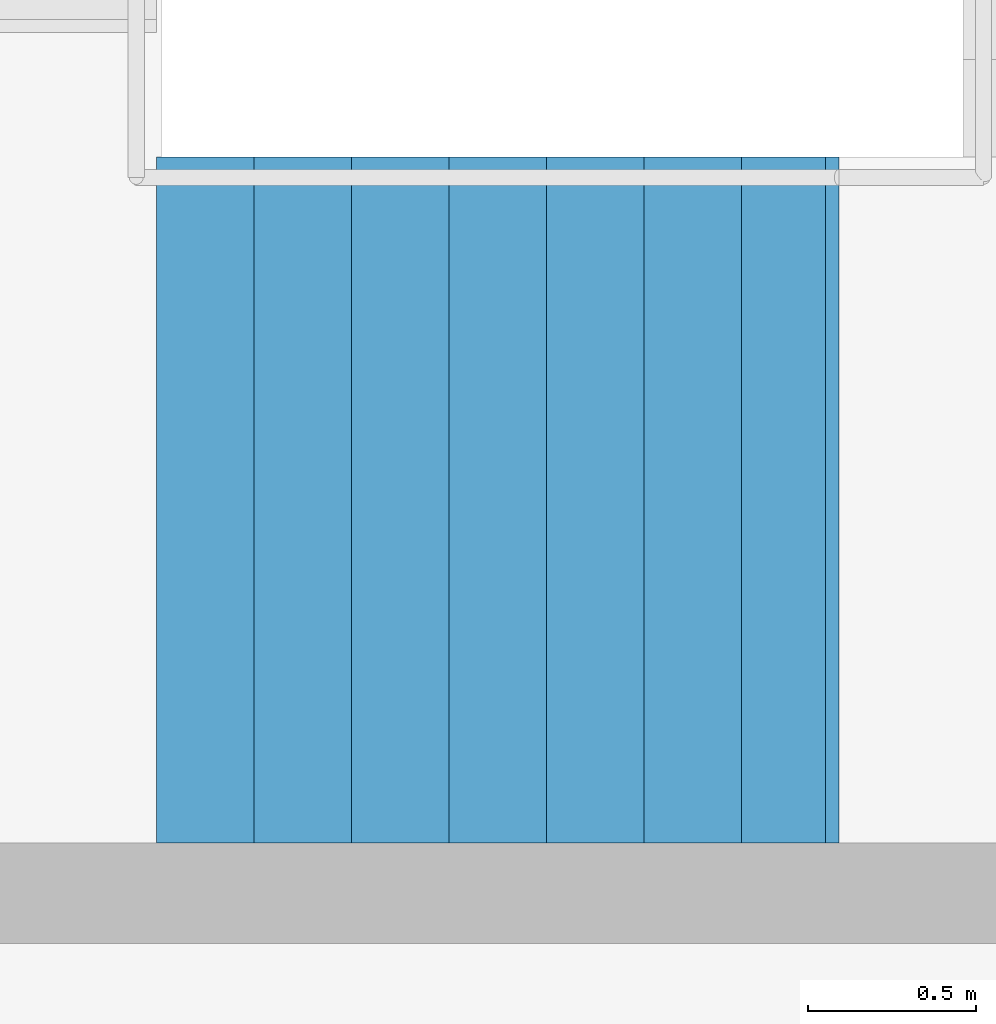
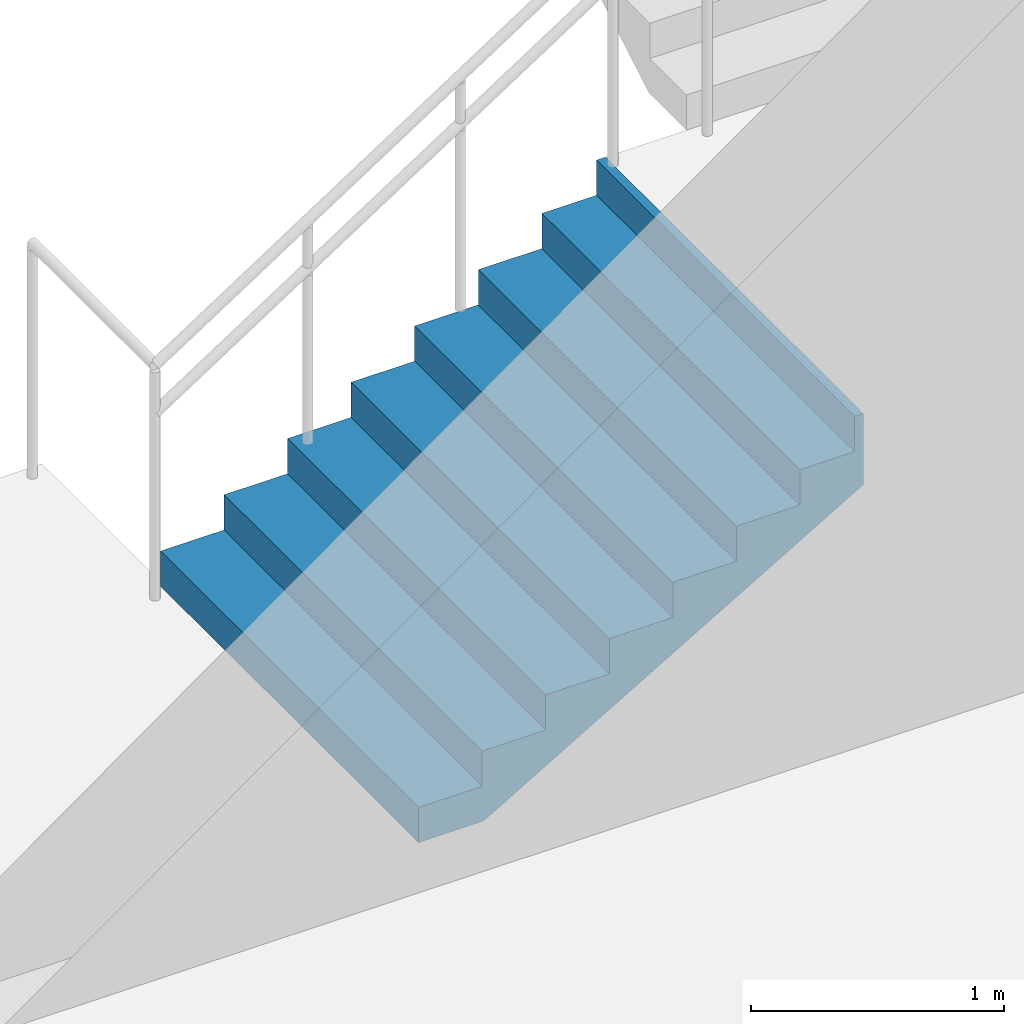
# One storey, part 43 of 50: 1 stair flight, 1 element without a shape of its own.
"""IFC4 building model written with IfcOpenShell, lengths in metres."""

import ifcopenshell
import ifcopenshell.guid

model = None  # the IFC model being written
_history = None  # IfcOwnerHistory: only IFC2X3 demands one
_inside = {}  # id of a spatial element -> (the spatial element, [elements in it])
_under = {}  # id of a project, library or spatial element -> (it, [spatial elements below it])
_declared = {}  # id of a project -> (the project, [libraries it declares])
_typed = {}  # id of a type object -> (the type object, [elements of that type])
_made_of = {}  # id of a material, layer set ... -> (it, [elements and type objects made of it])


def new_model(schema):
    """Start an empty IFC model of exactly this schema.

    Asked for "IFC4X3", IfcOpenShell would pick the latest addendum, in which some entities
    have other attributes; the version numbers below select the first issue.
    IFC2X3 requires an IfcOwnerHistory on every rooted entity: one is made here for all.
    """
    global model, _history
    if schema == "IFC4X3":
        model = ifcopenshell.file(schema_version=(4, 3, 0, 0))
    else:
        model = ifcopenshell.file(schema=schema)
    _inside.clear()
    _under.clear()
    _declared.clear()
    _typed.clear()
    _made_of.clear()
    _history = None
    if model.schema == "IFC2X3":
        org = make("IfcOrganization", Name="unknown")
        user = make(
            "IfcPersonAndOrganization",
            ThePerson=make("IfcPerson", FamilyName="unknown"),
            TheOrganization=org,
        )
        app = make(
            "IfcApplication",
            ApplicationDeveloper=org,
            Version="unknown",
            ApplicationFullName="unknown",
            ApplicationIdentifier="unknown",
        )
        _history = make(
            "IfcOwnerHistory",
            OwningUser=user,
            OwningApplication=app,
            ChangeAction="ADDED",
            CreationDate=0,
        )
    return model


def make(cls, **values):
    """One entity of the class cls with the attributes given. An attribute that is None is left unset."""
    return model.create_entity(
        cls, **{name: value for name, value in values.items() if value is not None}
    )


def rooted(cls, **values):
    """An entity with a GlobalId (a new one), such as an element, a storey or a relation."""
    return make(cls, GlobalId=ifcopenshell.guid.new(), OwnerHistory=_history, **values)


def si_unit(unit_type, name, prefix=None):
    """IfcSIUnit, for example si_unit("LENGTHUNIT", "METRE", prefix="MILLI")."""
    return make("IfcSIUnit", UnitType=unit_type, Prefix=prefix, Name=name)


def assignment(units):
    """IfcUnitAssignment: the units of a project."""
    return None if units is None else make("IfcUnitAssignment", Units=units)


def point(xyz):
    """IfcCartesianPoint."""
    return None if xyz is None else make("IfcCartesianPoint", Coordinates=xyz)


def direction(xyz):
    """IfcDirection."""
    return None if xyz is None else make("IfcDirection", DirectionRatios=xyz)


def frame(location, z_axis=None, x_axis=None):
    """IfcAxis2Placement3D, a coordinate frame: its origin and axes. An axis left out is left unset."""
    return make(
        "IfcAxis2Placement3D",
        Location=point(location),
        Axis=direction(z_axis),
        RefDirection=direction(x_axis),
    )


def origin():
    """The frame at (0, 0, 0) with its axes left unset."""
    return frame((0.0, 0.0, 0.0))


def place(relative_to, where):
    """IfcLocalPlacement: puts the frame where relative to a parent placement (None: the world)."""
    return make(
        "IfcLocalPlacement", PlacementRelTo=relative_to, RelativePlacement=where
    )


def context(
    kind, dimensions, precision=None, world=None, true_north=None, identifier=None
):
    """IfcGeometricRepresentationContext, for example the 3D "Model" context."""
    return make(
        "IfcGeometricRepresentationContext",
        ContextIdentifier=identifier,
        ContextType=kind,
        CoordinateSpaceDimension=dimensions,
        Precision=precision,
        WorldCoordinateSystem=world,
        TrueNorth=true_north,
    )


def subcontext(parent, identifier, kind, view, scale=None):
    """IfcGeometricRepresentationSubContext, for example "Body" below "Model"."""
    return make(
        "IfcGeometricRepresentationSubContext",
        ContextIdentifier=identifier,
        ContextType=kind,
        ParentContext=parent,
        TargetScale=scale,
        TargetView=view,
    )


def project(units=None, contexts=None):
    """IfcProject with its units and contexts."""
    return rooted(
        "IfcProject",
        Name="project",
        RepresentationContexts=contexts,
        UnitsInContext=assignment(units),
    )


def spatial(cls, under=None, at=None, **own):
    """A site, building, storey or space (cls), placed at a placement, below another one or the project."""
    s = rooted(cls, ObjectPlacement=at, **own)
    if under is not None:
        _under.setdefault(under.id(), (under, []))[1].append(s)
    return s


def point_list(points):
    """IfcCartesianPointList2D or 3D."""
    cls = (
        "IfcCartesianPointList2D" if len(points[0]) == 2 else "IfcCartesianPointList3D"
    )
    return make(cls, CoordList=points)


def triangles(points, corners, closed=None, point_numbers=None):
    """IfcTriangulatedFaceSet: each triangle names its three corners, points numbered from 1."""
    return make(
        "IfcTriangulatedFaceSet",
        Coordinates=point_list(points),
        Closed=closed,
        CoordIndex=corners,
        PnIndex=point_numbers,
    )


def shape(context_of_items, identifier, shape_type, items):
    """IfcShapeRepresentation: the items that make up one representation, for example the "Body"."""
    return make(
        "IfcShapeRepresentation",
        ContextOfItems=context_of_items,
        RepresentationIdentifier=identifier,
        RepresentationType=shape_type,
        Items=items,
    )


def material(Name=None, Category=None):
    """IfcMaterial."""
    return make("IfcMaterial", Name=Name, Category=Category)


def made_of(thing, what):
    """Note that an element or type object is made of a material, layer set ...; save() writes the relation."""
    if what is not None:
        _made_of.setdefault(what.id(), (what, []))[1].append(thing)
    return thing


def type_object(cls, material=None, **own):
    """A type object (cls), such as IfcWallType, which elements share."""
    return made_of(rooted(cls, **own), material)


def element(
    cls,
    number,
    at=None,
    inside=None,
    cuts=None,
    type_object=None,
    material=None,
    context=None,
    identifier="Body",
    shape_type=None,
    held_by="IfcProductDefinitionShape",
    body=None,
    shapes=None,
    **own,
):
    """One element of the class cls, such as IfcWall. Its Tag is "e" and its number.

    at: its placement. inside: the storey or other place that contains it. cuts: it is an
    opening in that element (IfcRelVoidsElement). A single representation is given by context,
    identifier, shape_type and body (its items); several are given by shapes. held_by: the class
    of the entity that holds the representations. save() writes the other relations.
    """
    e = rooted(cls, Tag="e%d" % number, ObjectPlacement=at, **own)
    if body is not None:
        shapes = [shape(context, identifier, shape_type, body)]
    if shapes is not None:
        e.Representation = make(held_by, Representations=shapes)
    if inside is not None:
        _inside.setdefault(inside.id(), (inside, []))[1].append(e)
    if cuts is not None:
        rooted(
            "IfcRelVoidsElement", RelatingBuildingElement=cuts, RelatedOpeningElement=e
        )
    if type_object is not None:
        _typed.setdefault(type_object.id(), (type_object, []))[1].append(e)
    return made_of(e, material)


def aggregate(whole, parts):
    """IfcRelAggregates: a whole, such as a stair, and the parts it consists of."""
    return rooted("IfcRelAggregates", RelatingObject=whole, RelatedObjects=parts)


def save(model, path):
    """Write the relations noted so far, then the file.

    IfcRelAggregates (storeys below a building ...), IfcRelContainedInSpatialStructure (elements
    in a storey), IfcRelDefinesByType, IfcRelAssociatesMaterial and IfcRelDeclares: one each for
    every whole, place, type object, material and project.
    """
    for whole, parts in _under.values():
        aggregate(whole, parts)
    for where, things in _inside.values():
        rooted(
            "IfcRelContainedInSpatialStructure",
            RelatedElements=things,
            RelatingStructure=where,
        )
    for kind, things in _typed.values():
        rooted("IfcRelDefinesByType", RelatedObjects=things, RelatingType=kind)
    for what, things in _made_of.values():
        rooted("IfcRelAssociatesMaterial", RelatedObjects=things, RelatingMaterial=what)
    for by, libraries in _declared.values():
        rooted("IfcRelDeclares", RelatingContext=by, RelatedDefinitions=libraries)
    model.write(path)


model = new_model("IFC4")

# Units and contexts
model_context = context("Model", 3, precision=1e-05, world=origin(), true_north=direction((0.0, 1.0)))
body_context = subcontext(model_context, "Body", "Model", "MODEL_VIEW")
ifc_project = project(units=[si_unit("LENGTHUNIT", "METRE"), si_unit("AREAUNIT", "SQUARE_METRE"), si_unit("VOLUMEUNIT", "CUBIC_METRE"), si_unit("PLANEANGLEUNIT", "RADIAN"), si_unit("MASSUNIT", "GRAM", prefix="KILO")], contexts=[model_context])

# Site, building, storey
site_placement = place(None, origin())
site = spatial("IfcSite", under=ifc_project, at=site_placement, CompositionType="ELEMENT")
building_placement = place(site_placement, origin())
building = spatial("IfcBuilding", under=site, at=building_placement, Name="Sillaruma Civic Art Gallery", CompositionType="ELEMENT")
storey_placement = place(building_placement, origin())
storey = spatial("IfcBuildingStorey", under=building, at=storey_placement, Name="L00", CompositionType="ELEMENT", Elevation=0.0)

# Stair, stair flight
ifc_material = material(Name="Concrete H35 (35 MPa)", Category="concrete")
stair_type = type_object("IfcStairType", Name="STR-4F-32", PredefinedType="USERDEFINED", material=ifc_material)
stair_placement = place(storey_placement, origin())
stair = element("IfcStair", 1, at=stair_placement, inside=storey, type_object=stair_type, Name="Protected Exit Stair ST-05 (East Wing) (L00)", ObjectType="THREE_RETURN_STAIR", PredefinedType="USERDEFINED")
stair_flight_type = type_object("IfcStairFlightType", Name="SFL-STR-8", PredefinedType="STRAIGHT", material=ifc_material)
stair_flight_placement = place(storey_placement, frame((144.199951171875, 12.419921875, 0.0), z_axis=(0.0, 0.0, 1.0), x_axis=(1.0, 0.0, 0.0)))
stair_flight = element("IfcStairFlight", 2, at=stair_flight_placement, type_object=stair_flight_type, Name="ST-05 flight 1", NumberOfRisers=8, NumberOfTreads=7, PredefinedType="STRAIGHT", RiserHeight=0.17, TreadLength=0.29, context=body_context, shape_type="Tessellation", body=[
    triangles([(0.0, -1.02001953125, 0.0), (0.29, -1.02001953125, 0.0), (0.296443, -1.02001953125, 0.0), (0.58, -1.02001953125, 0.166223), (0.87, -1.02001953125, 0.336223), (1.16, -1.02001953125, 0.506223), (1.45, -1.02001953125, 0.676223), (1.74, -1.02001953125, 0.846223), (1.990029, -1.02001953125, 0.992792), (2.030029, -1.02001953125, 1.01624), (2.030029, -1.02001953125, 1.36), (1.990029, -1.02001953125, 1.36), (1.990029, -1.02001953125, 1.19), (1.74, -1.02001953125, 1.19), (1.74, -1.02001953125, 1.02), (1.45, -1.02001953125, 1.02), (1.45, -1.02001953125, 0.85), (1.16, -1.02001953125, 0.85), (1.16, -1.02001953125, 0.68), (0.87, -1.02001953125, 0.68), (0.87, -1.02001953125, 0.51), (0.58, -1.02001953125, 0.51), (0.58, -1.02001953125, 0.34), (0.296443, -1.02001953125, 0.34), (0.29, -1.02001953125, 0.34), (0.29, -1.02001953125, 0.17), (0.0, -1.02001953125, 0.17), (0.0, -0.05, 0.0), (0.29, -0.05, 0.0), (0.296443, -0.05, 0.0), (0.58, -0.05, 0.166223), (0.87, -0.05, 0.336223), (1.16, -0.05, 0.506223), (1.45, -0.05, 0.676223), (1.74, -0.05, 0.846223), (1.990029, -0.05, 0.992792), (2.030029, -0.05, 1.01624), (2.030029, -0.05, 1.36), (1.990029, -0.05, 1.36), (1.990029, -0.05, 1.19), (1.74, -0.05, 1.19), (1.74, -0.05, 1.02), (1.45, -0.05, 1.02), (1.45, -0.05, 0.85), (1.16, -0.05, 0.85), (1.16, -0.05, 0.68), (0.87, -0.05, 0.68), (0.87, -0.05, 0.51), (0.58, -0.05, 0.51), (0.58, -0.05, 0.34), (0.296443, -0.05, 0.34), (0.29, -0.05, 0.34), (0.29, -0.05, 0.17), (0.0, -0.05, 0.17), (0.0, -0.0375, 0.0), (0.29, -0.0375, 0.0), (0.296443, -0.0375, 0.0), (0.58, -0.0375, 0.166223), (0.87, -0.0375, 0.336223), (1.16, -0.0375, 0.506223), (1.45, -0.0375, 0.676223), (1.74, -0.0375, 0.846223), (1.990029, -0.0375, 0.992792), (2.030029, -0.0375, 1.01624), (2.030029, -0.0375, 1.36), (1.990029, -0.0375, 1.36), (1.990029, -0.0375, 1.19), (1.74, -0.0375, 1.19), (1.74, -0.0375, 1.02), (1.45, -0.0375, 1.02), (1.45, -0.0375, 0.85), (1.16, -0.0375, 0.85), (1.16, -0.0375, 0.68), (0.87, -0.0375, 0.68), (0.87, -0.0375, 0.51), (0.58, -0.0375, 0.51), (0.58, -0.0375, 0.34), (0.296443, -0.0375, 0.34), (0.29, -0.0375, 0.34), (0.29, -0.0375, 0.17), (0.0, -0.0375, 0.17), (0.0, -0.025, 0.0), (0.29, -0.025, 0.0), (0.296443, -0.025, 0.0), (0.58, -0.025, 0.166223), (0.87, -0.025, 0.336223), (1.16, -0.025, 0.506223), (1.45, -0.025, 0.676223), (1.74, -0.025, 0.846223), (1.990029, -0.025, 0.992792), (2.030029, -0.025, 1.01624), (2.030029, -0.025, 1.36), (1.990029, -0.025, 1.36), (1.990029, -0.025, 1.19), (1.74, -0.025, 1.19), (1.74, -0.025, 1.02), (1.45, -0.025, 1.02), (1.45, -0.025, 0.85), (1.16, -0.025, 0.85), (1.16, -0.025, 0.68), (0.87, -0.025, 0.68), (0.87, -0.025, 0.51), (0.58, -0.025, 0.51), (0.58, -0.025, 0.34), (0.296443, -0.025, 0.34), (0.29, -0.025, 0.34), (0.29, -0.025, 0.17), (0.0, -0.025, 0.17), (0.0, -0.0125, 0.0), (0.29, -0.0125, 0.0), (0.296443, -0.0125, 0.0), (0.58, -0.0125, 0.166223), (0.87, -0.0125, 0.336223), (1.16, -0.0125, 0.506223), (1.45, -0.0125, 0.676223), (1.74, -0.0125, 0.846223), (1.990029, -0.0125, 0.992792), (2.030029, -0.0125, 1.01624), (2.030029, -0.0125, 1.36), (1.990029, -0.0125, 1.36), (1.990029, -0.0125, 1.19), (1.74, -0.0125, 1.19), (1.74, -0.0125, 1.02), (1.45, -0.0125, 1.02), (1.45, -0.0125, 0.85), (1.16, -0.0125, 0.85), (1.16, -0.0125, 0.68), (0.87, -0.0125, 0.68), (0.87, -0.0125, 0.51), (0.58, -0.0125, 0.51), (0.58, -0.0125, 0.34), (0.296443, -0.0125, 0.34), (0.29, -0.0125, 0.34), (0.29, -0.0125, 0.17), (0.0, -0.0125, 0.17), (0.0, 0.0, 0.0), (0.29, 0.0, 0.0), (0.296443, 0.0, 0.0), (0.58, 0.0, 0.166223), (0.87, 0.0, 0.336223), (1.16, 0.0, 0.506223), (1.45, 0.0, 0.676223), (1.74, 0.0, 0.846223), (1.990029, 0.0, 0.992792), (2.030029, 0.0, 1.01624), (2.030029, 0.0, 1.36), (1.990029, 0.0, 1.36), (1.990029, 0.0, 1.19), (1.74, 0.0, 1.19), (1.74, 0.0, 1.02), (1.45, 0.0, 1.02), (1.45, 0.0, 0.85), (1.16, 0.0, 0.85), (1.16, 0.0, 0.68), (0.87, 0.0, 0.68), (0.87, 0.0, 0.51), (0.58, 0.0, 0.51), (0.58, 0.0, 0.34), (0.296443, 0.0, 0.34), (0.29, 0.0, 0.34), (0.29, 0.0, 0.17), (0.0, 0.0, 0.17), (0.0, 0.0125, 0.0), (0.29, 0.0125, 0.0), (0.296443, 0.0125, 0.0), (0.58, 0.0125, 0.166223), (0.87, 0.0125, 0.336223), (1.16, 0.0125, 0.506223), (1.45, 0.0125, 0.676223), (1.74, 0.0125, 0.846223), (1.990029, 0.0125, 0.992792), (2.030029, 0.0125, 1.01624), (2.030029, 0.0125, 1.36), (1.990029, 0.0125, 1.36), (1.990029, 0.0125, 1.19), (1.74, 0.0125, 1.19), (1.74, 0.0125, 1.02), (1.45, 0.0125, 1.02), (1.45, 0.0125, 0.85), (1.16, 0.0125, 0.85), (1.16, 0.0125, 0.68), (0.87, 0.0125, 0.68), (0.87, 0.0125, 0.51), (0.58, 0.0125, 0.51), (0.58, 0.0125, 0.34), (0.296443, 0.0125, 0.34), (0.29, 0.0125, 0.34), (0.29, 0.0125, 0.17), (0.0, 0.0125, 0.17), (0.0, 0.025, 0.0), (0.29, 0.025, 0.0), (0.296443, 0.025, 0.0), (0.58, 0.025, 0.166223), (0.87, 0.025, 0.336223), (1.16, 0.025, 0.506223), (1.45, 0.025, 0.676223), (1.74, 0.025, 0.846223), (1.990029, 0.025, 0.992792), (2.030029, 0.025, 1.01624), (2.030029, 0.025, 1.36), (1.990029, 0.025, 1.36), (1.990029, 0.025, 1.19), (1.74, 0.025, 1.19), (1.74, 0.025, 1.02), (1.45, 0.025, 1.02), (1.45, 0.025, 0.85), (1.16, 0.025, 0.85), (1.16, 0.025, 0.68), (0.87, 0.025, 0.68), (0.87, 0.025, 0.51), (0.58, 0.025, 0.51), (0.58, 0.025, 0.34), (0.296443, 0.025, 0.34), (0.29, 0.025, 0.34), (0.29, 0.025, 0.17), (0.0, 0.025, 0.17), (0.0, 0.0375, 0.0), (0.29, 0.0375, 0.0), (0.296443, 0.0375, 0.0), (0.58, 0.0375, 0.166223), (0.87, 0.0375, 0.336223), (1.16, 0.0375, 0.506223), (1.45, 0.0375, 0.676223), (1.74, 0.0375, 0.846223), (1.990029, 0.0375, 0.992792), (2.030029, 0.0375, 1.01624), (2.030029, 0.0375, 1.36), (1.990029, 0.0375, 1.36), (1.990029, 0.0375, 1.19), (1.74, 0.0375, 1.19), (1.74, 0.0375, 1.02), (1.45, 0.0375, 1.02), (1.45, 0.0375, 0.85), (1.16, 0.0375, 0.85), (1.16, 0.0375, 0.68), (0.87, 0.0375, 0.68), (0.87, 0.0375, 0.51), (0.58, 0.0375, 0.51), (0.58, 0.0375, 0.34), (0.296443, 0.0375, 0.34), (0.29, 0.0375, 0.34), (0.29, 0.0375, 0.17), (0.0, 0.0375, 0.17), (0.0, 0.05, 0.0), (0.29, 0.05, 0.0), (0.296443, 0.05, 0.0), (0.58, 0.05, 0.166223), (0.87, 0.05, 0.336223), (1.16, 0.05, 0.506223), (1.45, 0.05, 0.676223), (1.74, 0.05, 0.846223), (1.990029, 0.05, 0.992792), (2.030029, 0.05, 1.01624), (2.030029, 0.05, 1.36), (1.990029, 0.05, 1.36), (1.990029, 0.05, 1.19), (1.74, 0.05, 1.19), (1.74, 0.05, 1.02), (1.45, 0.05, 1.02), (1.45, 0.05, 0.85), (1.16, 0.05, 0.85), (1.16, 0.05, 0.68), (0.87, 0.05, 0.68), (0.87, 0.05, 0.51), (0.58, 0.05, 0.51), (0.58, 0.05, 0.34), (0.296443, 0.05, 0.34), (0.29, 0.05, 0.34), (0.29, 0.05, 0.17), (0.0, 0.05, 0.17), (0.0, 1.02001953125, 0.0), (0.29, 1.02001953125, 0.0), (0.296443, 1.02001953125, 0.0), (0.58, 1.02001953125, 0.166223), (0.87, 1.02001953125, 0.336223), (1.16, 1.02001953125, 0.506223), (1.45, 1.02001953125, 0.676223), (1.74, 1.02001953125, 0.846223), (1.990029, 1.02001953125, 0.992792), (2.030029, 1.02001953125, 1.01624), (2.030029, 1.02001953125, 1.36), (1.990029, 1.02001953125, 1.36), (1.990029, 1.02001953125, 1.19), (1.74, 1.02001953125, 1.19), (1.74, 1.02001953125, 1.02), (1.45, 1.02001953125, 1.02), (1.45, 1.02001953125, 0.85), (1.16, 1.02001953125, 0.85), (1.16, 1.02001953125, 0.68), (0.87, 1.02001953125, 0.68), (0.87, 1.02001953125, 0.51), (0.58, 1.02001953125, 0.51), (0.58, 1.02001953125, 0.34), (0.296443, 1.02001953125, 0.34), (0.29, 1.02001953125, 0.34), (0.29, 1.02001953125, 0.17), (0.0, 1.02001953125, 0.17)], [[1, 2, 26], [1, 26, 27], [2, 3, 24], [2, 24, 26], [26, 24, 25], [3, 4, 23], [3, 23, 24], [4, 5, 21], [4, 21, 23], [23, 21, 22], [5, 6, 19], [5, 19, 21], [21, 19, 20], [6, 7, 17], [6, 17, 19], [19, 17, 18], [7, 8, 15], [7, 15, 17], [17, 15, 16], [8, 9, 13], [8, 13, 15], [15, 13, 14], [9, 10, 11], [9, 11, 13], [13, 11, 12], [296, 272, 271], [297, 296, 271], [294, 273, 272], [296, 294, 272], [295, 294, 296], [293, 274, 273], [294, 293, 273], [291, 275, 274], [293, 291, 274], [292, 291, 293], [289, 276, 275], [291, 289, 275], [290, 289, 291], [287, 277, 276], [289, 287, 276], [288, 287, 289], [285, 278, 277], [287, 285, 277], [286, 285, 287], [283, 279, 278], [285, 283, 278], [284, 283, 285], [281, 280, 279], [283, 281, 279], [282, 281, 283], [2, 1, 28], [2, 28, 29], [3, 2, 29], [3, 29, 30], [4, 3, 30], [4, 30, 31], [5, 4, 31], [5, 31, 32], [6, 5, 32], [6, 32, 33], [7, 6, 33], [7, 33, 34], [8, 7, 34], [8, 34, 35], [9, 8, 35], [9, 35, 36], [10, 9, 36], [10, 36, 37], [11, 10, 37], [11, 37, 38], [12, 11, 38], [12, 38, 39], [13, 12, 39], [13, 39, 40], [14, 13, 40], [14, 40, 41], [15, 14, 41], [15, 41, 42], [16, 15, 42], [16, 42, 43], [17, 16, 43], [17, 43, 44], [18, 17, 44], [18, 44, 45], [19, 18, 45], [19, 45, 46], [20, 19, 46], [20, 46, 47], [21, 20, 47], [21, 47, 48], [22, 21, 48], [22, 48, 49], [23, 22, 49], [23, 49, 50], [24, 23, 50], [24, 50, 51], [25, 24, 51], [25, 51, 52], [26, 25, 52], [26, 52, 53], [27, 26, 53], [27, 53, 54], [1, 27, 54], [1, 54, 28], [29, 28, 55], [29, 55, 56], [30, 29, 56], [30, 56, 57], [31, 30, 57], [31, 57, 58], [32, 31, 58], [32, 58, 59], [33, 32, 59], [33, 59, 60], [34, 33, 60], [34, 60, 61], [35, 34, 61], [35, 61, 62], [36, 35, 62], [36, 62, 63], [37, 36, 63], [37, 63, 64], [38, 37, 64], [38, 64, 65], [39, 38, 65], [39, 65, 66], [40, 39, 66], [40, 66, 67], [41, 40, 67], [41, 67, 68], [42, 41, 68], [42, 68, 69], [43, 42, 69], [43, 69, 70], [44, 43, 70], [44, 70, 71], [45, 44, 71], [45, 71, 72], [46, 45, 72], [46, 72, 73], [47, 46, 73], [47, 73, 74], [48, 47, 74], [48, 74, 75], [49, 48, 75], [49, 75, 76], [50, 49, 76], [50, 76, 77], [51, 50, 77], [51, 77, 78], [52, 51, 78], [52, 78, 79], [53, 52, 79], [53, 79, 80], [54, 53, 80], [54, 80, 81], [28, 54, 81], [28, 81, 55], [56, 55, 82], [56, 82, 83], [57, 56, 83], [57, 83, 84], [58, 57, 84], [58, 84, 85], [59, 58, 85], [59, 85, 86], [60, 59, 86], [60, 86, 87], [61, 60, 87], [61, 87, 88], [62, 61, 88], [62, 88, 89], [63, 62, 89], [63, 89, 90], [64, 63, 90], [64, 90, 91], [65, 64, 91], [65, 91, 92], [66, 65, 92], [66, 92, 93], [67, 66, 93], [67, 93, 94], [68, 67, 94], [68, 94, 95], [69, 68, 95], [69, 95, 96], [70, 69, 96], [70, 96, 97], [71, 70, 97], [71, 97, 98], [72, 71, 98], [72, 98, 99], [73, 72, 99], [73, 99, 100], [74, 73, 100], [74, 100, 101], [75, 74, 101], [75, 101, 102], [76, 75, 102], [76, 102, 103], [77, 76, 103], [77, 103, 104], [78, 77, 104], [78, 104, 105], [79, 78, 105], [79, 105, 106], [80, 79, 106], [80, 106, 107], [81, 80, 107], [81, 107, 108], [55, 81, 108], [55, 108, 82], [83, 82, 109], [83, 109, 110], [84, 83, 110], [84, 110, 111], [85, 84, 111], [85, 111, 112], [86, 85, 112], [86, 112, 113], [87, 86, 113], [87, 113, 114], [88, 87, 114], [88, 114, 115], [89, 88, 115], [89, 115, 116], [90, 89, 116], [90, 116, 117], [91, 90, 117], [91, 117, 118], [92, 91, 118], [92, 118, 119], [93, 92, 119], [93, 119, 120], [94, 93, 120], [94, 120, 121], [95, 94, 121], [95, 121, 122], [96, 95, 122], [96, 122, 123], [97, 96, 123], [97, 123, 124], [98, 97, 124], [98, 124, 125], [99, 98, 125], [99, 125, 126], [100, 99, 126], [100, 126, 127], [101, 100, 127], [101, 127, 128], [102, 101, 128], [102, 128, 129], [103, 102, 129], [103, 129, 130], [104, 103, 130], [104, 130, 131], [105, 104, 131], [105, 131, 132], [106, 105, 132], [106, 132, 133], [107, 106, 133], [107, 133, 134], [108, 107, 134], [108, 134, 135], [82, 108, 135], [82, 135, 109], [110, 109, 136], [110, 136, 137], [111, 110, 137], [111, 137, 138], [112, 111, 138], [112, 138, 139], [113, 112, 139], [113, 139, 140], [114, 113, 140], [114, 140, 141], [115, 114, 141], [115, 141, 142], [116, 115, 142], [116, 142, 143], [117, 116, 143], [117, 143, 144], [118, 117, 144], [118, 144, 145], [119, 118, 145], [119, 145, 146], [120, 119, 146], [120, 146, 147], [121, 120, 147], [121, 147, 148], [122, 121, 148], [122, 148, 149], [123, 122, 149], [123, 149, 150], [124, 123, 150], [124, 150, 151], [125, 124, 151], [125, 151, 152], [126, 125, 152], [126, 152, 153], [127, 126, 153], [127, 153, 154], [128, 127, 154], [128, 154, 155], [129, 128, 155], [129, 155, 156], [130, 129, 156], [130, 156, 157], [131, 130, 157], [131, 157, 158], [132, 131, 158], [132, 158, 159], [133, 132, 159], [133, 159, 160], [134, 133, 160], [134, 160, 161], [135, 134, 161], [135, 161, 162], [109, 135, 162], [109, 162, 136], [137, 136, 163], [137, 163, 164], [138, 137, 164], [138, 164, 165], [139, 138, 165], [139, 165, 166], [140, 139, 166], [140, 166, 167], [141, 140, 167], [141, 167, 168], [142, 141, 168], [142, 168, 169], [143, 142, 169], [143, 169, 170], [144, 143, 170], [144, 170, 171], [145, 144, 171], [145, 171, 172], [146, 145, 172], [146, 172, 173], [147, 146, 173], [147, 173, 174], [148, 147, 174], [148, 174, 175], [149, 148, 175], [149, 175, 176], [150, 149, 176], [150, 176, 177], [151, 150, 177], [151, 177, 178], [152, 151, 178], [152, 178, 179], [153, 152, 179], [153, 179, 180], [154, 153, 180], [154, 180, 181], [155, 154, 181], [155, 181, 182], [156, 155, 182], [156, 182, 183], [157, 156, 183], [157, 183, 184], [158, 157, 184], [158, 184, 185], [159, 158, 185], [159, 185, 186], [160, 159, 186], [160, 186, 187], [161, 160, 187], [161, 187, 188], [162, 161, 188], [162, 188, 189], [136, 162, 189], [136, 189, 163], [164, 163, 190], [164, 190, 191], [165, 164, 191], [165, 191, 192], [166, 165, 192], [166, 192, 193], [167, 166, 193], [167, 193, 194], [168, 167, 194], [168, 194, 195], [169, 168, 195], [169, 195, 196], [170, 169, 196], [170, 196, 197], [171, 170, 197], [171, 197, 198], [172, 171, 198], [172, 198, 199], [173, 172, 199], [173, 199, 200], [174, 173, 200], [174, 200, 201], [175, 174, 201], [175, 201, 202], [176, 175, 202], [176, 202, 203], [177, 176, 203], [177, 203, 204], [178, 177, 204], [178, 204, 205], [179, 178, 205], [179, 205, 206], [180, 179, 206], [180, 206, 207], [181, 180, 207], [181, 207, 208], [182, 181, 208], [182, 208, 209], [183, 182, 209], [183, 209, 210], [184, 183, 210], [184, 210, 211], [185, 184, 211], [185, 211, 212], [186, 185, 212], [186, 212, 213], [187, 186, 213], [187, 213, 214], [188, 187, 214], [188, 214, 215], [189, 188, 215], [189, 215, 216], [163, 189, 216], [163, 216, 190], [191, 190, 217], [191, 217, 218], [192, 191, 218], [192, 218, 219], [193, 192, 219], [193, 219, 220], [194, 193, 220], [194, 220, 221], [195, 194, 221], [195, 221, 222], [196, 195, 222], [196, 222, 223], [197, 196, 223], [197, 223, 224], [198, 197, 224], [198, 224, 225], [199, 198, 225], [199, 225, 226], [200, 199, 226], [200, 226, 227], [201, 200, 227], [201, 227, 228], [202, 201, 228], [202, 228, 229], [203, 202, 229], [203, 229, 230], [204, 203, 230], [204, 230, 231], [205, 204, 231], [205, 231, 232], [206, 205, 232], [206, 232, 233], [207, 206, 233], [207, 233, 234], [208, 207, 234], [208, 234, 235], [209, 208, 235], [209, 235, 236], [210, 209, 236], [210, 236, 237], [211, 210, 237], [211, 237, 238], [212, 211, 238], [212, 238, 239], [213, 212, 239], [213, 239, 240], [214, 213, 240], [214, 240, 241], [215, 214, 241], [215, 241, 242], [216, 215, 242], [216, 242, 243], [190, 216, 243], [190, 243, 217], [218, 217, 244], [218, 244, 245], [219, 218, 245], [219, 245, 246], [220, 219, 246], [220, 246, 247], [221, 220, 247], [221, 247, 248], [222, 221, 248], [222, 248, 249], [223, 222, 249], [223, 249, 250], [224, 223, 250], [224, 250, 251], [225, 224, 251], [225, 251, 252], [226, 225, 252], [226, 252, 253], [227, 226, 253], [227, 253, 254], [228, 227, 254], [228, 254, 255], [229, 228, 255], [229, 255, 256], [230, 229, 256], [230, 256, 257], [231, 230, 257], [231, 257, 258], [232, 231, 258], [232, 258, 259], [233, 232, 259], [233, 259, 260], [234, 233, 260], [234, 260, 261], [235, 234, 261], [235, 261, 262], [236, 235, 262], [236, 262, 263], [237, 236, 263], [237, 263, 264], [238, 237, 264], [238, 264, 265], [239, 238, 265], [239, 265, 266], [240, 239, 266], [240, 266, 267], [241, 240, 267], [241, 267, 268], [242, 241, 268], [242, 268, 269], [243, 242, 269], [243, 269, 270], [217, 243, 270], [217, 270, 244], [245, 244, 271], [245, 271, 272], [246, 245, 272], [246, 272, 273], [247, 246, 273], [247, 273, 274], [248, 247, 274], [248, 274, 275], [249, 248, 275], [249, 275, 276], [250, 249, 276], [250, 276, 277], [251, 250, 277], [251, 277, 278], [252, 251, 278], [252, 278, 279], [253, 252, 279], [253, 279, 280], [254, 253, 280], [254, 280, 281], [255, 254, 281], [255, 281, 282], [256, 255, 282], [256, 282, 283], [257, 256, 283], [257, 283, 284], [258, 257, 284], [258, 284, 285], [259, 258, 285], [259, 285, 286], [260, 259, 286], [260, 286, 287], [261, 260, 287], [261, 287, 288], [262, 261, 288], [262, 288, 289], [263, 262, 289], [263, 289, 290], [264, 263, 290], [264, 290, 291], [265, 264, 291], [265, 291, 292], [266, 265, 292], [266, 292, 293], [267, 266, 293], [267, 293, 294], [268, 267, 294], [268, 294, 295], [269, 268, 295], [269, 295, 296], [270, 269, 296], [270, 296, 297], [244, 270, 297], [244, 297, 271]], closed=True),
])
aggregate(stair, [stair_flight])

save(model, "model.ifc")
